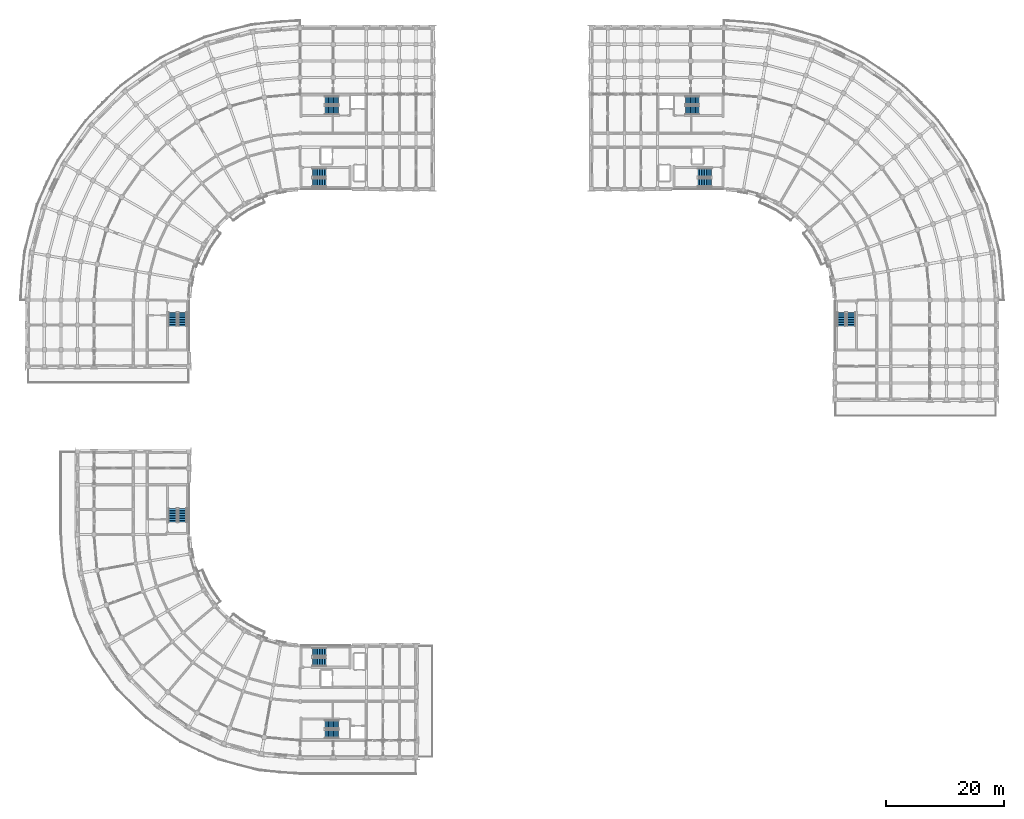
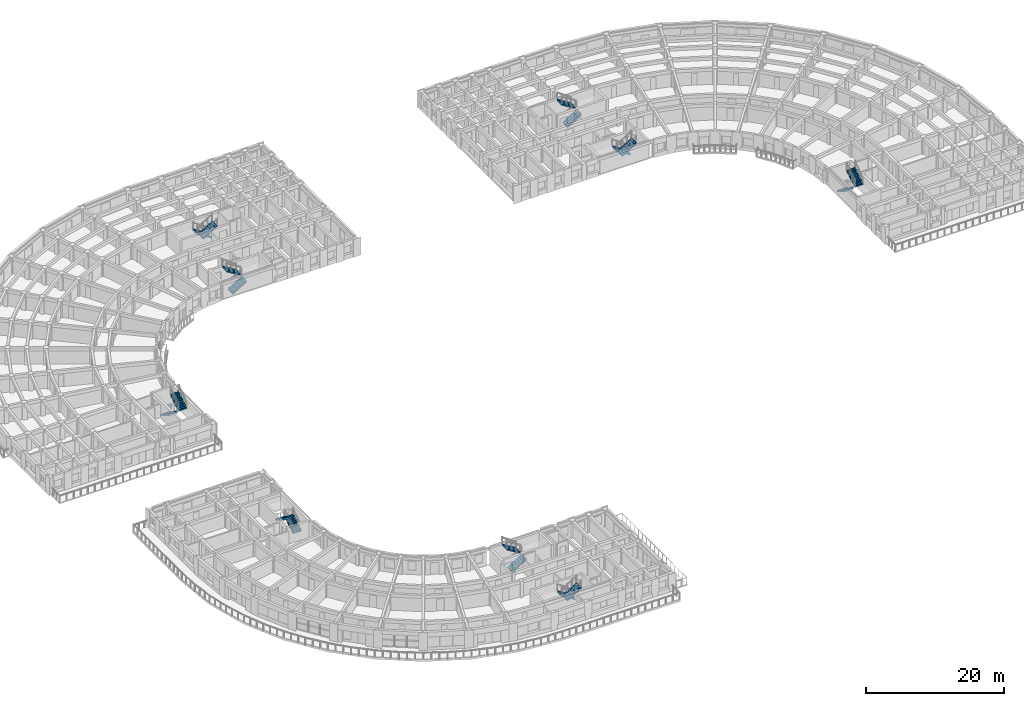
# One storey, part 37 of 54: 18 stair flights, 9 elements without a shape of their own.
"""IFC4 building model written with IfcOpenShell, lengths in metres."""

import ifcopenshell
import ifcopenshell.guid

model = None  # the IFC model being written
_history = None  # IfcOwnerHistory: only IFC2X3 demands one
_inside = {}  # id of a spatial element -> (the spatial element, [elements in it])
_under = {}  # id of a project, library or spatial element -> (it, [spatial elements below it])
_declared = {}  # id of a project -> (the project, [libraries it declares])
_typed = {}  # id of a type object -> (the type object, [elements of that type])
_made_of = {}  # id of a material, layer set ... -> (it, [elements and type objects made of it])


def new_model(schema):
    """Start an empty IFC model of exactly this schema.

    Asked for "IFC4X3", IfcOpenShell would pick the latest addendum, in which some entities
    have other attributes; the version numbers below select the first issue.
    IFC2X3 requires an IfcOwnerHistory on every rooted entity: one is made here for all.
    """
    global model, _history
    if schema == "IFC4X3":
        model = ifcopenshell.file(schema_version=(4, 3, 0, 0))
    else:
        model = ifcopenshell.file(schema=schema)
    _inside.clear()
    _under.clear()
    _declared.clear()
    _typed.clear()
    _made_of.clear()
    _history = None
    if model.schema == "IFC2X3":
        org = make("IfcOrganization", Name="unknown")
        user = make(
            "IfcPersonAndOrganization",
            ThePerson=make("IfcPerson", FamilyName="unknown"),
            TheOrganization=org,
        )
        app = make(
            "IfcApplication",
            ApplicationDeveloper=org,
            Version="unknown",
            ApplicationFullName="unknown",
            ApplicationIdentifier="unknown",
        )
        _history = make(
            "IfcOwnerHistory",
            OwningUser=user,
            OwningApplication=app,
            ChangeAction="ADDED",
            CreationDate=0,
        )
    return model


def make(cls, **values):
    """One entity of the class cls with the attributes given. An attribute that is None is left unset."""
    return model.create_entity(
        cls, **{name: value for name, value in values.items() if value is not None}
    )


def rooted(cls, **values):
    """An entity with a GlobalId (a new one), such as an element, a storey or a relation."""
    return make(cls, GlobalId=ifcopenshell.guid.new(), OwnerHistory=_history, **values)


def si_unit(unit_type, name, prefix=None):
    """IfcSIUnit, for example si_unit("LENGTHUNIT", "METRE", prefix="MILLI")."""
    return make("IfcSIUnit", UnitType=unit_type, Prefix=prefix, Name=name)


def assignment(units):
    """IfcUnitAssignment: the units of a project."""
    return None if units is None else make("IfcUnitAssignment", Units=units)


def point(xyz):
    """IfcCartesianPoint."""
    return None if xyz is None else make("IfcCartesianPoint", Coordinates=xyz)


def direction(xyz):
    """IfcDirection."""
    return None if xyz is None else make("IfcDirection", DirectionRatios=xyz)


def frame(location, z_axis=None, x_axis=None):
    """IfcAxis2Placement3D, a coordinate frame: its origin and axes. An axis left out is left unset."""
    return make(
        "IfcAxis2Placement3D",
        Location=point(location),
        Axis=direction(z_axis),
        RefDirection=direction(x_axis),
    )


def origin():
    """The frame at (0, 0, 0) with its axes left unset."""
    return frame((0.0, 0.0, 0.0))


def place(relative_to, where):
    """IfcLocalPlacement: puts the frame where relative to a parent placement (None: the world)."""
    return make(
        "IfcLocalPlacement", PlacementRelTo=relative_to, RelativePlacement=where
    )


def context(
    kind, dimensions, precision=None, world=None, true_north=None, identifier=None
):
    """IfcGeometricRepresentationContext, for example the 3D "Model" context."""
    return make(
        "IfcGeometricRepresentationContext",
        ContextIdentifier=identifier,
        ContextType=kind,
        CoordinateSpaceDimension=dimensions,
        Precision=precision,
        WorldCoordinateSystem=world,
        TrueNorth=true_north,
    )


def subcontext(parent, identifier, kind, view, scale=None):
    """IfcGeometricRepresentationSubContext, for example "Body" below "Model"."""
    return make(
        "IfcGeometricRepresentationSubContext",
        ContextIdentifier=identifier,
        ContextType=kind,
        ParentContext=parent,
        TargetScale=scale,
        TargetView=view,
    )


def project(units=None, contexts=None):
    """IfcProject with its units and contexts."""
    return rooted(
        "IfcProject",
        Name="project",
        RepresentationContexts=contexts,
        UnitsInContext=assignment(units),
    )


def spatial(cls, under=None, at=None, **own):
    """A site, building, storey or space (cls), placed at a placement, below another one or the project."""
    s = rooted(cls, ObjectPlacement=at, **own)
    if under is not None:
        _under.setdefault(under.id(), (under, []))[1].append(s)
    return s


def polyline(points):
    """IfcPolyline through the points."""
    return make("IfcPolyline", Points=[point(p) for p in points])


def outline(outer, holes=None, kind="AREA"):
    """IfcArbitraryClosedProfileDef: a profile drawn as a closed curve; with holes, ...WithVoids."""
    if holes is None:
        return make("IfcArbitraryClosedProfileDef", ProfileType=kind, OuterCurve=outer)
    return make(
        "IfcArbitraryProfileDefWithVoids",
        ProfileType=kind,
        OuterCurve=outer,
        InnerCurves=holes,
    )


def extrude(swept, where, along, depth):
    """IfcExtrudedAreaSolid: the profile swept, set in the frame where, extruded along a direction by depth."""
    return make(
        "IfcExtrudedAreaSolid",
        SweptArea=swept,
        Position=where,
        ExtrudedDirection=direction(along),
        Depth=depth,
    )


def shape(context_of_items, identifier, shape_type, items):
    """IfcShapeRepresentation: the items that make up one representation, for example the "Body"."""
    return make(
        "IfcShapeRepresentation",
        ContextOfItems=context_of_items,
        RepresentationIdentifier=identifier,
        RepresentationType=shape_type,
        Items=items,
    )


def material(Name=None, Category=None):
    """IfcMaterial."""
    return make("IfcMaterial", Name=Name, Category=Category)


def made_of(thing, what):
    """Note that an element or type object is made of a material, layer set ...; save() writes the relation."""
    if what is not None:
        _made_of.setdefault(what.id(), (what, []))[1].append(thing)
    return thing


def type_object(cls, material=None, **own):
    """A type object (cls), such as IfcWallType, which elements share."""
    return made_of(rooted(cls, **own), material)


def element(
    cls,
    number,
    at=None,
    inside=None,
    cuts=None,
    type_object=None,
    material=None,
    context=None,
    identifier="Body",
    shape_type=None,
    held_by="IfcProductDefinitionShape",
    body=None,
    shapes=None,
    **own,
):
    """One element of the class cls, such as IfcWall. Its Tag is "e" and its number.

    at: its placement. inside: the storey or other place that contains it. cuts: it is an
    opening in that element (IfcRelVoidsElement). A single representation is given by context,
    identifier, shape_type and body (its items); several are given by shapes. held_by: the class
    of the entity that holds the representations. save() writes the other relations.
    """
    e = rooted(cls, Tag="e%d" % number, ObjectPlacement=at, **own)
    if body is not None:
        shapes = [shape(context, identifier, shape_type, body)]
    if shapes is not None:
        e.Representation = make(held_by, Representations=shapes)
    if inside is not None:
        _inside.setdefault(inside.id(), (inside, []))[1].append(e)
    if cuts is not None:
        rooted(
            "IfcRelVoidsElement", RelatingBuildingElement=cuts, RelatedOpeningElement=e
        )
    if type_object is not None:
        _typed.setdefault(type_object.id(), (type_object, []))[1].append(e)
    return made_of(e, material)


def aggregate(whole, parts):
    """IfcRelAggregates: a whole, such as a stair, and the parts it consists of."""
    return rooted("IfcRelAggregates", RelatingObject=whole, RelatedObjects=parts)


def save(model, path):
    """Write the relations noted so far, then the file.

    IfcRelAggregates (storeys below a building ...), IfcRelContainedInSpatialStructure (elements
    in a storey), IfcRelDefinesByType, IfcRelAssociatesMaterial and IfcRelDeclares: one each for
    every whole, place, type object, material and project.
    """
    for whole, parts in _under.values():
        aggregate(whole, parts)
    for where, things in _inside.values():
        rooted(
            "IfcRelContainedInSpatialStructure",
            RelatedElements=things,
            RelatingStructure=where,
        )
    for kind, things in _typed.values():
        rooted("IfcRelDefinesByType", RelatedObjects=things, RelatingType=kind)
    for what, things in _made_of.values():
        rooted("IfcRelAssociatesMaterial", RelatedObjects=things, RelatingMaterial=what)
    for by, libraries in _declared.values():
        rooted("IfcRelDeclares", RelatingContext=by, RelatedDefinitions=libraries)
    model.write(path)


model = new_model("IFC4")

# Units and contexts
model_context = context("Model", 3, precision=1e-05, world=origin(), true_north=direction((0.0, 1.0)))
body_context = subcontext(model_context, "Body", "Model", "MODEL_VIEW")
ifc_project = project(units=[si_unit("LENGTHUNIT", "METRE"), si_unit("AREAUNIT", "SQUARE_METRE"), si_unit("VOLUMEUNIT", "CUBIC_METRE"), si_unit("PLANEANGLEUNIT", "RADIAN"), si_unit("MASSUNIT", "GRAM", prefix="KILO")], contexts=[model_context])

# Site, building, storey
site_placement = place(None, origin())
site = spatial("IfcSite", under=ifc_project, at=site_placement, CompositionType="ELEMENT")
building_placement = place(site_placement, origin())
building = spatial("IfcBuilding", under=site, at=building_placement, Name="Kiranvali Square Residences", CompositionType="ELEMENT")
storey_placement = place(building_placement, frame((0.0, 0.0, 27.60009765625)))
storey = spatial("IfcBuildingStorey", under=building, at=storey_placement, Name="L08", CompositionType="ELEMENT", Elevation=27.60009765625)

# Stair, stair flights
ifc_material = material(Name="Concrete M35 (35 MPa)", Category="concrete")
stair_type = type_object("IfcStairType", Name="ST-CORE-1700", PredefinedType="HALF_TURN_STAIR", material=ifc_material)
stair_1_placement = place(storey_placement, origin())
stair_1 = element("IfcStair", 1, at=stair_1_placement, inside=storey, type_object=stair_type, Name="L08 Block A Firefighting Exit Stair 1", PredefinedType="HALF_TURN_STAIR")
stair_flight_type = type_object("IfcStairFlightType", Name="STF-1700", PredefinedType="STRAIGHT", material=ifc_material)
stair_flight_1_placement = place(storey_placement, frame((54.699951171875, 121.52490234375, 0.0), z_axis=(0.0, 0.0, 1.0), x_axis=(-1.0, 0.0, 0.0)))
stair_flight_1 = element("IfcStairFlight", 2, at=stair_flight_1_placement, type_object=stair_flight_type, Name="ST-A1 flight 1", NumberOfRisers=9, NumberOfTreads=8, PredefinedType="STRAIGHT", RiserHeight=0.175, TreadLength=0.285, context=body_context, shape_type="SweptSolid", body=[
    extrude(outline(polyline([(-0.02001953125, -0.14990234375), (-0.02001953125, 0.0), (0.0, 0.0), (0.0, 0.175048828125), (0.284912109375, 0.175048828125), (0.284912109375, 0.35009765625), (0.570068359375, 0.35009765625), (0.570068359375, 0.52490234375), (0.85498046875, 0.52490234375), (0.85498046875, 0.699951171875), (1.139892578125, 0.699951171875), (1.139892578125, 0.875), (1.425048828125, 0.875), (1.425048828125, 1.050048828125), (1.7099609375, 1.050048828125), (1.7099609375, 1.22509765625), (1.9951171875, 1.22509765625), (1.9951171875, 1.39990234375), (2.280029296875, 1.39990234375), (2.280029296875, 1.574951171875), (2.300048828125, 1.574951171875), (2.300048828125, 1.22412109375), (2.280029296875, 1.22412109375), (0.0, -0.14990234375), (-0.02001953125, -0.14990234375)])), frame((0.0, 0.72509765625, 0.0), z_axis=(0.0, -1.0, 0.0), x_axis=(1.0, 0.0, 0.0)), (0.0, 0.0, 1.0), 1.449951171875),
])
stair_flight_2_placement = place(storey_placement, frame((52.419921875, 119.875, 1.574951171875), z_axis=(0.0, 0.0, 1.0), x_axis=(1.0, 0.0, 0.0)))
stair_flight_2 = element("IfcStairFlight", 3, at=stair_flight_2_placement, type_object=stair_flight_type, Name="ST-A1 flight 2", NumberOfRisers=9, NumberOfTreads=8, PredefinedType="STRAIGHT", RiserHeight=0.175, TreadLength=0.285, context=body_context, shape_type="SweptSolid", body=[
    extrude(outline(polyline([(-0.02001953125, -0.14990234375), (-0.02001953125, 0.0), (0.0, 0.0), (0.0, 0.175048828125), (0.284912109375, 0.175048828125), (0.284912109375, 0.35009765625), (0.570068359375, 0.35009765625), (0.570068359375, 0.52490234375), (0.85498046875, 0.52490234375), (0.85498046875, 0.699951171875), (1.139892578125, 0.699951171875), (1.139892578125, 0.875), (1.425048828125, 0.875), (1.425048828125, 1.050048828125), (1.7099609375, 1.050048828125), (1.7099609375, 1.22509765625), (1.9951171875, 1.22509765625), (1.9951171875, 1.39990234375), (2.280029296875, 1.39990234375), (2.280029296875, 1.574951171875), (2.300048828125, 1.574951171875), (2.300048828125, 1.22412109375), (2.280029296875, 1.22412109375), (0.0, -0.14990234375), (-0.02001953125, -0.14990234375)])), frame((0.0, 0.72509765625, 0.0), z_axis=(0.0, -1.0, 0.0), x_axis=(1.0, 0.0, 0.0)), (0.0, 0.0, 1.0), 1.449951171875),
])
aggregate(stair_1, [stair_flight_1, stair_flight_2])

stair_2_placement = place(storey_placement, origin())
stair_2 = element("IfcStair", 4, at=stair_2_placement, inside=storey, type_object=stair_type, Name="L08 Block A Protected Exit Stair 2", PredefinedType="HALF_TURN_STAIR")
stair_flight_3_placement = place(storey_placement, frame((50.300048828125, 107.675048828125, 0.0), z_axis=(0.0, 0.0, 1.0), x_axis=(1.0, 0.0, 0.0)))
stair_flight_3 = element("IfcStairFlight", 5, at=stair_flight_3_placement, type_object=stair_flight_type, Name="ST-A2 flight 1", NumberOfRisers=9, NumberOfTreads=8, PredefinedType="STRAIGHT", RiserHeight=0.175, TreadLength=0.285, context=body_context, shape_type="SweptSolid", body=[
    extrude(outline(polyline([(-0.02001953125, -0.14990234375), (-0.02001953125, 0.0), (0.0, 0.0), (0.0, 0.175048828125), (0.284912109375, 0.175048828125), (0.284912109375, 0.35009765625), (0.570068359375, 0.35009765625), (0.570068359375, 0.52490234375), (0.85498046875, 0.52490234375), (0.85498046875, 0.699951171875), (1.139892578125, 0.699951171875), (1.139892578125, 0.875), (1.425048828125, 0.875), (1.425048828125, 1.050048828125), (1.7099609375, 1.050048828125), (1.7099609375, 1.22509765625), (1.9951171875, 1.22509765625), (1.9951171875, 1.39990234375), (2.280029296875, 1.39990234375), (2.280029296875, 1.574951171875), (2.300048828125, 1.574951171875), (2.300048828125, 1.22412109375), (2.280029296875, 1.22412109375), (0.0, -0.14990234375), (-0.02001953125, -0.14990234375)])), frame((0.0, 0.72509765625, 0.0), z_axis=(0.0, -1.0, 0.0), x_axis=(1.0, 0.0, 0.0)), (0.0, 0.0, 1.0), 1.449951171875),
])
stair_flight_4_placement = place(storey_placement, frame((52.580078125, 109.324951171875, 1.574951171875), z_axis=(0.0, 0.0, 1.0), x_axis=(-1.0, 0.0, 0.0)))
stair_flight_4 = element("IfcStairFlight", 6, at=stair_flight_4_placement, type_object=stair_flight_type, Name="ST-A2 flight 2", NumberOfRisers=9, NumberOfTreads=8, PredefinedType="STRAIGHT", RiserHeight=0.175, TreadLength=0.285, context=body_context, shape_type="SweptSolid", body=[
    extrude(outline(polyline([(-0.02001953125, -0.14990234375), (-0.02001953125, 0.0), (0.0, 0.0), (0.0, 0.175048828125), (0.284912109375, 0.175048828125), (0.284912109375, 0.35009765625), (0.570068359375, 0.35009765625), (0.570068359375, 0.52490234375), (0.85498046875, 0.52490234375), (0.85498046875, 0.699951171875), (1.139892578125, 0.699951171875), (1.139892578125, 0.875), (1.425048828125, 0.875), (1.425048828125, 1.050048828125), (1.7099609375, 1.050048828125), (1.7099609375, 1.22509765625), (1.9951171875, 1.22509765625), (1.9951171875, 1.39990234375), (2.280029296875, 1.39990234375), (2.280029296875, 1.574951171875), (2.300048828125, 1.574951171875), (2.300048828125, 1.22412109375), (2.280029296875, 1.22412109375), (0.0, -0.14990234375), (-0.02001953125, -0.14990234375)])), frame((0.0, 0.72509765625, 0.0), z_axis=(0.0, -1.0, 0.0), x_axis=(1.0, 0.0, 0.0)), (0.0, 0.0, 1.0), 1.449951171875),
])
aggregate(stair_2, [stair_flight_3, stair_flight_4])

stair_3_placement = place(storey_placement, origin())
stair_3 = element("IfcStair", 7, at=stair_3_placement, inside=storey, type_object=stair_type, Name="L08 Block A Wing Protected Exit Stair 3", PredefinedType="HALF_TURN_STAIR")
stair_flight_5_placement = place(storey_placement, frame((26.675048828125, 85.699951171875, 0.0), z_axis=(0.0, 0.0, 1.0), x_axis=(0.0, -1.0, 0.0)))
stair_flight_5 = element("IfcStairFlight", 8, at=stair_flight_5_placement, type_object=stair_flight_type, Name="ST-A3 flight 1", NumberOfRisers=9, NumberOfTreads=8, PredefinedType="STRAIGHT", RiserHeight=0.175, TreadLength=0.285, context=body_context, shape_type="SweptSolid", body=[
    extrude(outline(polyline([(-0.02001953125, -0.14990234375), (-0.02001953125, 0.0), (0.0, 0.0), (0.0, 0.175048828125), (0.284912109375, 0.175048828125), (0.284912109375, 0.35009765625), (0.570068359375, 0.35009765625), (0.570068359375, 0.52490234375), (0.85498046875, 0.52490234375), (0.85498046875, 0.699951171875), (1.139892578125, 0.699951171875), (1.139892578125, 0.875), (1.425048828125, 0.875), (1.425048828125, 1.050048828125), (1.7099609375, 1.050048828125), (1.7099609375, 1.22509765625), (1.9951171875, 1.22509765625), (1.9951171875, 1.39990234375), (2.280029296875, 1.39990234375), (2.280029296875, 1.574951171875), (2.300048828125, 1.574951171875), (2.300048828125, 1.22412109375), (2.280029296875, 1.22412109375), (0.0, -0.14990234375), (-0.02001953125, -0.14990234375)])), frame((0.0, 0.72509765625, 0.0), z_axis=(0.0, -1.0, 0.0), x_axis=(1.0, 0.0, 0.0)), (0.0, 0.0, 1.0), 1.449951171875),
])
stair_flight_6_placement = place(storey_placement, frame((28.324951171875, 83.419921875, 1.574951171875), z_axis=(0.0, 0.0, 1.0), x_axis=(0.0, 1.0, 0.0)))
stair_flight_6 = element("IfcStairFlight", 9, at=stair_flight_6_placement, type_object=stair_flight_type, Name="ST-A3 flight 2", NumberOfRisers=9, NumberOfTreads=8, PredefinedType="STRAIGHT", RiserHeight=0.175, TreadLength=0.285, context=body_context, shape_type="SweptSolid", body=[
    extrude(outline(polyline([(-0.02001953125, -0.14990234375), (-0.02001953125, 0.0), (0.0, 0.0), (0.0, 0.175048828125), (0.284912109375, 0.175048828125), (0.284912109375, 0.35009765625), (0.570068359375, 0.35009765625), (0.570068359375, 0.52490234375), (0.85498046875, 0.52490234375), (0.85498046875, 0.699951171875), (1.139892578125, 0.699951171875), (1.139892578125, 0.875), (1.425048828125, 0.875), (1.425048828125, 1.050048828125), (1.7099609375, 1.050048828125), (1.7099609375, 1.22509765625), (1.9951171875, 1.22509765625), (1.9951171875, 1.39990234375), (2.280029296875, 1.39990234375), (2.280029296875, 1.574951171875), (2.300048828125, 1.574951171875), (2.300048828125, 1.22412109375), (2.280029296875, 1.22412109375), (0.0, -0.14990234375), (-0.02001953125, -0.14990234375)])), frame((0.0, 0.72509765625, 0.0), z_axis=(0.0, -1.0, 0.0), x_axis=(1.0, 0.0, 0.0)), (0.0, 0.0, 1.0), 1.449951171875),
])
aggregate(stair_3, [stair_flight_5, stair_flight_6])

stair_4_placement = place(storey_placement, origin())
stair_4 = element("IfcStair", 10, at=stair_4_placement, inside=storey, type_object=stair_type, Name="L08 Block B Firefighting Exit Stair 1", PredefinedType="HALF_TURN_STAIR")
stair_flight_7_placement = place(storey_placement, frame((113.300048828125, 119.875, 0.0), z_axis=(0.0, 0.0, 1.0), x_axis=(1.0, 0.0, 0.0)))
stair_flight_7 = element("IfcStairFlight", 11, at=stair_flight_7_placement, type_object=stair_flight_type, Name="ST-B1 flight 1", NumberOfRisers=9, NumberOfTreads=8, PredefinedType="STRAIGHT", RiserHeight=0.175, TreadLength=0.285, context=body_context, shape_type="SweptSolid", body=[
    extrude(outline(polyline([(-0.02001953125, -0.14990234375), (-0.02001953125, 0.0), (0.0, 0.0), (0.0, 0.175048828125), (0.284912109375, 0.175048828125), (0.284912109375, 0.35009765625), (0.570068359375, 0.35009765625), (0.570068359375, 0.52490234375), (0.85498046875, 0.52490234375), (0.85498046875, 0.699951171875), (1.139892578125, 0.699951171875), (1.139892578125, 0.875), (1.425048828125, 0.875), (1.425048828125, 1.050048828125), (1.7099609375, 1.050048828125), (1.7099609375, 1.22509765625), (1.9951171875, 1.22509765625), (1.9951171875, 1.39990234375), (2.280029296875, 1.39990234375), (2.280029296875, 1.574951171875), (2.300048828125, 1.574951171875), (2.300048828125, 1.22412109375), (2.280029296875, 1.22412109375), (0.0, -0.14990234375), (-0.02001953125, -0.14990234375)])), frame((0.0, 0.72509765625, 0.0), z_axis=(0.0, -1.0, 0.0), x_axis=(1.0, 0.0, 0.0)), (0.0, 0.0, 1.0), 1.449951171875),
])
stair_flight_8_placement = place(storey_placement, frame((115.580078125, 121.52490234375, 1.574951171875), z_axis=(0.0, 0.0, 1.0), x_axis=(-1.0, 0.0, 0.0)))
stair_flight_8 = element("IfcStairFlight", 12, at=stair_flight_8_placement, type_object=stair_flight_type, Name="ST-B1 flight 2", NumberOfRisers=9, NumberOfTreads=8, PredefinedType="STRAIGHT", RiserHeight=0.175, TreadLength=0.285, context=body_context, shape_type="SweptSolid", body=[
    extrude(outline(polyline([(-0.02001953125, -0.14990234375), (-0.02001953125, 0.0), (0.0, 0.0), (0.0, 0.175048828125), (0.284912109375, 0.175048828125), (0.284912109375, 0.35009765625), (0.570068359375, 0.35009765625), (0.570068359375, 0.52490234375), (0.85498046875, 0.52490234375), (0.85498046875, 0.699951171875), (1.139892578125, 0.699951171875), (1.139892578125, 0.875), (1.425048828125, 0.875), (1.425048828125, 1.050048828125), (1.7099609375, 1.050048828125), (1.7099609375, 1.22509765625), (1.9951171875, 1.22509765625), (1.9951171875, 1.39990234375), (2.280029296875, 1.39990234375), (2.280029296875, 1.574951171875), (2.300048828125, 1.574951171875), (2.300048828125, 1.22412109375), (2.280029296875, 1.22412109375), (0.0, -0.14990234375), (-0.02001953125, -0.14990234375)])), frame((0.0, 0.72509765625, 0.0), z_axis=(0.0, -1.0, 0.0), x_axis=(1.0, 0.0, 0.0)), (0.0, 0.0, 1.0), 1.449951171875),
])
aggregate(stair_4, [stair_flight_7, stair_flight_8])

stair_5_placement = place(storey_placement, origin())
stair_5 = element("IfcStair", 13, at=stair_5_placement, inside=storey, type_object=stair_type, Name="L08 Block B Protected Exit Stair 2", PredefinedType="HALF_TURN_STAIR")
stair_flight_9_placement = place(storey_placement, frame((117.699951171875, 109.324951171875, 0.0), z_axis=(0.0, 0.0, 1.0), x_axis=(-1.0, 0.0, 0.0)))
stair_flight_9 = element("IfcStairFlight", 14, at=stair_flight_9_placement, type_object=stair_flight_type, Name="ST-B2 flight 1", NumberOfRisers=9, NumberOfTreads=8, PredefinedType="STRAIGHT", RiserHeight=0.175, TreadLength=0.285, context=body_context, shape_type="SweptSolid", body=[
    extrude(outline(polyline([(-0.02001953125, -0.14990234375), (-0.02001953125, 0.0), (0.0, 0.0), (0.0, 0.175048828125), (0.284912109375, 0.175048828125), (0.284912109375, 0.35009765625), (0.570068359375, 0.35009765625), (0.570068359375, 0.52490234375), (0.85498046875, 0.52490234375), (0.85498046875, 0.699951171875), (1.139892578125, 0.699951171875), (1.139892578125, 0.875), (1.425048828125, 0.875), (1.425048828125, 1.050048828125), (1.7099609375, 1.050048828125), (1.7099609375, 1.22509765625), (1.9951171875, 1.22509765625), (1.9951171875, 1.39990234375), (2.280029296875, 1.39990234375), (2.280029296875, 1.574951171875), (2.300048828125, 1.574951171875), (2.300048828125, 1.22412109375), (2.280029296875, 1.22412109375), (0.0, -0.14990234375), (-0.02001953125, -0.14990234375)])), frame((0.0, 0.72509765625, 0.0), z_axis=(0.0, -1.0, 0.0), x_axis=(1.0, 0.0, 0.0)), (0.0, 0.0, 1.0), 1.449951171875),
])
stair_flight_10_placement = place(storey_placement, frame((115.419921875, 107.675048828125, 1.574951171875), z_axis=(0.0, 0.0, 1.0), x_axis=(1.0, 0.0, 0.0)))
stair_flight_10 = element("IfcStairFlight", 15, at=stair_flight_10_placement, type_object=stair_flight_type, Name="ST-B2 flight 2", NumberOfRisers=9, NumberOfTreads=8, PredefinedType="STRAIGHT", RiserHeight=0.175, TreadLength=0.285, context=body_context, shape_type="SweptSolid", body=[
    extrude(outline(polyline([(-0.02001953125, -0.14990234375), (-0.02001953125, 0.0), (0.0, 0.0), (0.0, 0.175048828125), (0.284912109375, 0.175048828125), (0.284912109375, 0.35009765625), (0.570068359375, 0.35009765625), (0.570068359375, 0.52490234375), (0.85498046875, 0.52490234375), (0.85498046875, 0.699951171875), (1.139892578125, 0.699951171875), (1.139892578125, 0.875), (1.425048828125, 0.875), (1.425048828125, 1.050048828125), (1.7099609375, 1.050048828125), (1.7099609375, 1.22509765625), (1.9951171875, 1.22509765625), (1.9951171875, 1.39990234375), (2.280029296875, 1.39990234375), (2.280029296875, 1.574951171875), (2.300048828125, 1.574951171875), (2.300048828125, 1.22412109375), (2.280029296875, 1.22412109375), (0.0, -0.14990234375), (-0.02001953125, -0.14990234375)])), frame((0.0, 0.72509765625, 0.0), z_axis=(0.0, -1.0, 0.0), x_axis=(1.0, 0.0, 0.0)), (0.0, 0.0, 1.0), 1.449951171875),
])
aggregate(stair_5, [stair_flight_9, stair_flight_10])

stair_6_placement = place(storey_placement, origin())
stair_6 = element("IfcStair", 16, at=stair_6_placement, inside=storey, type_object=stair_type, Name="L08 Block B Wing Protected Exit Stair 3", PredefinedType="HALF_TURN_STAIR")
stair_flight_11_placement = place(storey_placement, frame((139.675048828125, 85.699951171875, 0.0), z_axis=(0.0, 0.0, 1.0), x_axis=(0.0, -1.0, 0.0)))
stair_flight_11 = element("IfcStairFlight", 17, at=stair_flight_11_placement, type_object=stair_flight_type, Name="ST-B3 flight 1", NumberOfRisers=9, NumberOfTreads=8, PredefinedType="STRAIGHT", RiserHeight=0.175, TreadLength=0.285, context=body_context, shape_type="SweptSolid", body=[
    extrude(outline(polyline([(-0.02001953125, -0.14990234375), (-0.02001953125, 0.0), (0.0, 0.0), (0.0, 0.175048828125), (0.284912109375, 0.175048828125), (0.284912109375, 0.35009765625), (0.570068359375, 0.35009765625), (0.570068359375, 0.52490234375), (0.85498046875, 0.52490234375), (0.85498046875, 0.699951171875), (1.139892578125, 0.699951171875), (1.139892578125, 0.875), (1.425048828125, 0.875), (1.425048828125, 1.050048828125), (1.7099609375, 1.050048828125), (1.7099609375, 1.22509765625), (1.9951171875, 1.22509765625), (1.9951171875, 1.39990234375), (2.280029296875, 1.39990234375), (2.280029296875, 1.574951171875), (2.300048828125, 1.574951171875), (2.300048828125, 1.22412109375), (2.280029296875, 1.22412109375), (0.0, -0.14990234375), (-0.02001953125, -0.14990234375)])), frame((0.0, 0.72509765625, 0.0), z_axis=(0.0, -1.0, 0.0), x_axis=(1.0, 0.0, 0.0)), (0.0, 0.0, 1.0), 1.449951171875),
])
stair_flight_12_placement = place(storey_placement, frame((141.324951171875, 83.419921875, 1.574951171875), z_axis=(0.0, 0.0, 1.0), x_axis=(0.0, 1.0, 0.0)))
stair_flight_12 = element("IfcStairFlight", 18, at=stair_flight_12_placement, type_object=stair_flight_type, Name="ST-B3 flight 2", NumberOfRisers=9, NumberOfTreads=8, PredefinedType="STRAIGHT", RiserHeight=0.175, TreadLength=0.285, context=body_context, shape_type="SweptSolid", body=[
    extrude(outline(polyline([(-0.02001953125, -0.14990234375), (-0.02001953125, 0.0), (0.0, 0.0), (0.0, 0.175048828125), (0.284912109375, 0.175048828125), (0.284912109375, 0.35009765625), (0.570068359375, 0.35009765625), (0.570068359375, 0.52490234375), (0.85498046875, 0.52490234375), (0.85498046875, 0.699951171875), (1.139892578125, 0.699951171875), (1.139892578125, 0.875), (1.425048828125, 0.875), (1.425048828125, 1.050048828125), (1.7099609375, 1.050048828125), (1.7099609375, 1.22509765625), (1.9951171875, 1.22509765625), (1.9951171875, 1.39990234375), (2.280029296875, 1.39990234375), (2.280029296875, 1.574951171875), (2.300048828125, 1.574951171875), (2.300048828125, 1.22412109375), (2.280029296875, 1.22412109375), (0.0, -0.14990234375), (-0.02001953125, -0.14990234375)])), frame((0.0, 0.72509765625, 0.0), z_axis=(0.0, -1.0, 0.0), x_axis=(1.0, 0.0, 0.0)), (0.0, 0.0, 1.0), 1.449951171875),
])
aggregate(stair_6, [stair_flight_11, stair_flight_12])

stair_7_placement = place(storey_placement, origin())
stair_7 = element("IfcStair", 19, at=stair_7_placement, inside=storey, type_object=stair_type, Name="L08 Block C Firefighting Exit Stair 1", PredefinedType="HALF_TURN_STAIR")
stair_flight_13_placement = place(storey_placement, frame((54.699951171875, 16.125, 0.0), z_axis=(0.0, 0.0, 1.0), x_axis=(-1.0, 0.0, 0.0)))
stair_flight_13 = element("IfcStairFlight", 20, at=stair_flight_13_placement, type_object=stair_flight_type, Name="ST-C1 flight 1", NumberOfRisers=9, NumberOfTreads=8, PredefinedType="STRAIGHT", RiserHeight=0.175, TreadLength=0.285, context=body_context, shape_type="SweptSolid", body=[
    extrude(outline(polyline([(-0.02001953125, -0.14990234375), (-0.02001953125, 0.0), (0.0, 0.0), (0.0, 0.175048828125), (0.284912109375, 0.175048828125), (0.284912109375, 0.35009765625), (0.570068359375, 0.35009765625), (0.570068359375, 0.52490234375), (0.85498046875, 0.52490234375), (0.85498046875, 0.699951171875), (1.139892578125, 0.699951171875), (1.139892578125, 0.875), (1.425048828125, 0.875), (1.425048828125, 1.050048828125), (1.7099609375, 1.050048828125), (1.7099609375, 1.22509765625), (1.9951171875, 1.22509765625), (1.9951171875, 1.39990234375), (2.280029296875, 1.39990234375), (2.280029296875, 1.574951171875), (2.300048828125, 1.574951171875), (2.300048828125, 1.22412109375), (2.280029296875, 1.22412109375), (0.0, -0.14990234375), (-0.02001953125, -0.14990234375)])), frame((0.0, 0.72509765625, 0.0), z_axis=(0.0, -1.0, 0.0), x_axis=(1.0, 0.0, 0.0)), (0.0, 0.0, 1.0), 1.449951171875),
])
stair_flight_14_placement = place(storey_placement, frame((52.419921875, 14.47509765625, 1.574951171875), z_axis=(0.0, 0.0, 1.0), x_axis=(1.0, 0.0, 0.0)))
stair_flight_14 = element("IfcStairFlight", 21, at=stair_flight_14_placement, type_object=stair_flight_type, Name="ST-C1 flight 2", NumberOfRisers=9, NumberOfTreads=8, PredefinedType="STRAIGHT", RiserHeight=0.175, TreadLength=0.285, context=body_context, shape_type="SweptSolid", body=[
    extrude(outline(polyline([(-0.02001953125, -0.14990234375), (-0.02001953125, 0.0), (0.0, 0.0), (0.0, 0.175048828125), (0.284912109375, 0.175048828125), (0.284912109375, 0.35009765625), (0.570068359375, 0.35009765625), (0.570068359375, 0.52490234375), (0.85498046875, 0.52490234375), (0.85498046875, 0.699951171875), (1.139892578125, 0.699951171875), (1.139892578125, 0.875), (1.425048828125, 0.875), (1.425048828125, 1.050048828125), (1.7099609375, 1.050048828125), (1.7099609375, 1.22509765625), (1.9951171875, 1.22509765625), (1.9951171875, 1.39990234375), (2.280029296875, 1.39990234375), (2.280029296875, 1.574951171875), (2.300048828125, 1.574951171875), (2.300048828125, 1.22412109375), (2.280029296875, 1.22412109375), (0.0, -0.14990234375), (-0.02001953125, -0.14990234375)])), frame((0.0, 0.72509765625, 0.0), z_axis=(0.0, -1.0, 0.0), x_axis=(1.0, 0.0, 0.0)), (0.0, 0.0, 1.0), 1.449951171875),
])
aggregate(stair_7, [stair_flight_13, stair_flight_14])

stair_8_placement = place(storey_placement, origin())
stair_8 = element("IfcStair", 22, at=stair_8_placement, inside=storey, type_object=stair_type, Name="L08 Block C Protected Exit Stair 2", PredefinedType="HALF_TURN_STAIR")
stair_flight_15_placement = place(storey_placement, frame((50.300048828125, 26.675048828125, 0.0), z_axis=(0.0, 0.0, 1.0), x_axis=(1.0, 0.0, 0.0)))
stair_flight_15 = element("IfcStairFlight", 23, at=stair_flight_15_placement, type_object=stair_flight_type, Name="ST-C2 flight 1", NumberOfRisers=9, NumberOfTreads=8, PredefinedType="STRAIGHT", RiserHeight=0.175, TreadLength=0.285, context=body_context, shape_type="SweptSolid", body=[
    extrude(outline(polyline([(-0.02001953125, -0.14990234375), (-0.02001953125, 0.0), (0.0, 0.0), (0.0, 0.175048828125), (0.284912109375, 0.175048828125), (0.284912109375, 0.35009765625), (0.570068359375, 0.35009765625), (0.570068359375, 0.52490234375), (0.85498046875, 0.52490234375), (0.85498046875, 0.699951171875), (1.139892578125, 0.699951171875), (1.139892578125, 0.875), (1.425048828125, 0.875), (1.425048828125, 1.050048828125), (1.7099609375, 1.050048828125), (1.7099609375, 1.22509765625), (1.9951171875, 1.22509765625), (1.9951171875, 1.39990234375), (2.280029296875, 1.39990234375), (2.280029296875, 1.574951171875), (2.300048828125, 1.574951171875), (2.300048828125, 1.22412109375), (2.280029296875, 1.22412109375), (0.0, -0.14990234375), (-0.02001953125, -0.14990234375)])), frame((0.0, 0.72509765625, 0.0), z_axis=(0.0, -1.0, 0.0), x_axis=(1.0, 0.0, 0.0)), (0.0, 0.0, 1.0), 1.449951171875),
])
stair_flight_16_placement = place(storey_placement, frame((52.580078125, 28.324951171875, 1.574951171875), z_axis=(0.0, 0.0, 1.0), x_axis=(-1.0, 0.0, 0.0)))
stair_flight_16 = element("IfcStairFlight", 24, at=stair_flight_16_placement, type_object=stair_flight_type, Name="ST-C2 flight 2", NumberOfRisers=9, NumberOfTreads=8, PredefinedType="STRAIGHT", RiserHeight=0.175, TreadLength=0.285, context=body_context, shape_type="SweptSolid", body=[
    extrude(outline(polyline([(-0.02001953125, -0.14990234375), (-0.02001953125, 0.0), (0.0, 0.0), (0.0, 0.175048828125), (0.284912109375, 0.175048828125), (0.284912109375, 0.35009765625), (0.570068359375, 0.35009765625), (0.570068359375, 0.52490234375), (0.85498046875, 0.52490234375), (0.85498046875, 0.699951171875), (1.139892578125, 0.699951171875), (1.139892578125, 0.875), (1.425048828125, 0.875), (1.425048828125, 1.050048828125), (1.7099609375, 1.050048828125), (1.7099609375, 1.22509765625), (1.9951171875, 1.22509765625), (1.9951171875, 1.39990234375), (2.280029296875, 1.39990234375), (2.280029296875, 1.574951171875), (2.300048828125, 1.574951171875), (2.300048828125, 1.22412109375), (2.280029296875, 1.22412109375), (0.0, -0.14990234375), (-0.02001953125, -0.14990234375)])), frame((0.0, 0.72509765625, 0.0), z_axis=(0.0, -1.0, 0.0), x_axis=(1.0, 0.0, 0.0)), (0.0, 0.0, 1.0), 1.449951171875),
])
aggregate(stair_8, [stair_flight_15, stair_flight_16])

stair_9_placement = place(storey_placement, origin())
stair_9 = element("IfcStair", 25, at=stair_9_placement, inside=storey, type_object=stair_type, Name="L08 Block C Wing Protected Exit Stair 3", PredefinedType="HALF_TURN_STAIR")
stair_flight_17_placement = place(storey_placement, frame((28.324951171875, 50.300048828125, 0.0), z_axis=(0.0, 0.0, 1.0), x_axis=(0.0, 1.0, 0.0)))
stair_flight_17 = element("IfcStairFlight", 26, at=stair_flight_17_placement, type_object=stair_flight_type, Name="ST-C3 flight 1", NumberOfRisers=9, NumberOfTreads=8, PredefinedType="STRAIGHT", RiserHeight=0.175, TreadLength=0.285, context=body_context, shape_type="SweptSolid", body=[
    extrude(outline(polyline([(-0.02001953125, -0.14990234375), (-0.02001953125, 0.0), (0.0, 0.0), (0.0, 0.175048828125), (0.284912109375, 0.175048828125), (0.284912109375, 0.35009765625), (0.570068359375, 0.35009765625), (0.570068359375, 0.52490234375), (0.85498046875, 0.52490234375), (0.85498046875, 0.699951171875), (1.139892578125, 0.699951171875), (1.139892578125, 0.875), (1.425048828125, 0.875), (1.425048828125, 1.050048828125), (1.7099609375, 1.050048828125), (1.7099609375, 1.22509765625), (1.9951171875, 1.22509765625), (1.9951171875, 1.39990234375), (2.280029296875, 1.39990234375), (2.280029296875, 1.574951171875), (2.300048828125, 1.574951171875), (2.300048828125, 1.22412109375), (2.280029296875, 1.22412109375), (0.0, -0.14990234375), (-0.02001953125, -0.14990234375)])), frame((0.0, 0.72509765625, 0.0), z_axis=(0.0, -1.0, 0.0), x_axis=(1.0, 0.0, 0.0)), (0.0, 0.0, 1.0), 1.449951171875),
])
stair_flight_18_placement = place(storey_placement, frame((26.675048828125, 52.580078125, 1.574951171875), z_axis=(0.0, 0.0, 1.0), x_axis=(0.0, -1.0, 0.0)))
stair_flight_18 = element("IfcStairFlight", 27, at=stair_flight_18_placement, type_object=stair_flight_type, Name="ST-C3 flight 2", NumberOfRisers=9, NumberOfTreads=8, PredefinedType="STRAIGHT", RiserHeight=0.175, TreadLength=0.285, context=body_context, shape_type="SweptSolid", body=[
    extrude(outline(polyline([(-0.02001953125, -0.14990234375), (-0.02001953125, 0.0), (0.0, 0.0), (0.0, 0.175048828125), (0.284912109375, 0.175048828125), (0.284912109375, 0.35009765625), (0.570068359375, 0.35009765625), (0.570068359375, 0.52490234375), (0.85498046875, 0.52490234375), (0.85498046875, 0.699951171875), (1.139892578125, 0.699951171875), (1.139892578125, 0.875), (1.425048828125, 0.875), (1.425048828125, 1.050048828125), (1.7099609375, 1.050048828125), (1.7099609375, 1.22509765625), (1.9951171875, 1.22509765625), (1.9951171875, 1.39990234375), (2.280029296875, 1.39990234375), (2.280029296875, 1.574951171875), (2.300048828125, 1.574951171875), (2.300048828125, 1.22412109375), (2.280029296875, 1.22412109375), (0.0, -0.14990234375), (-0.02001953125, -0.14990234375)])), frame((0.0, 0.72509765625, 0.0), z_axis=(0.0, -1.0, 0.0), x_axis=(1.0, 0.0, 0.0)), (0.0, 0.0, 1.0), 1.449951171875),
])
aggregate(stair_9, [stair_flight_17, stair_flight_18])

save(model, "model.ifc")
